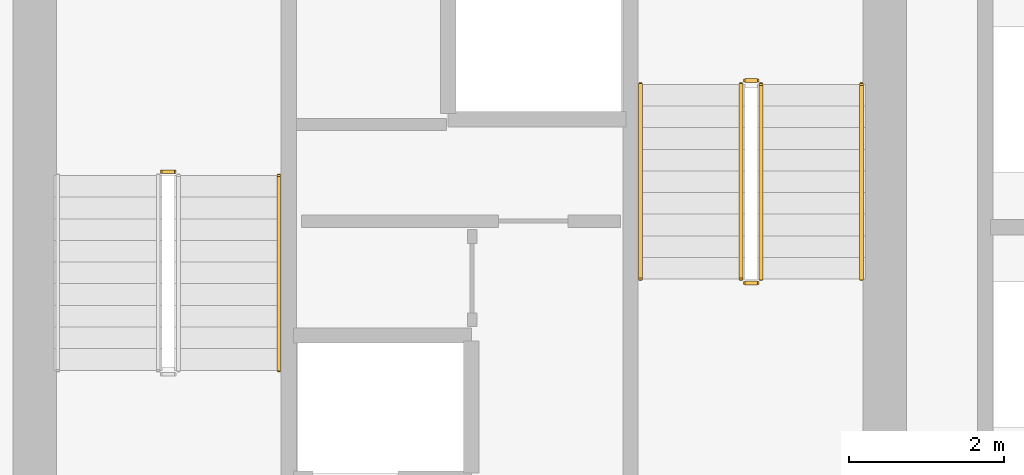
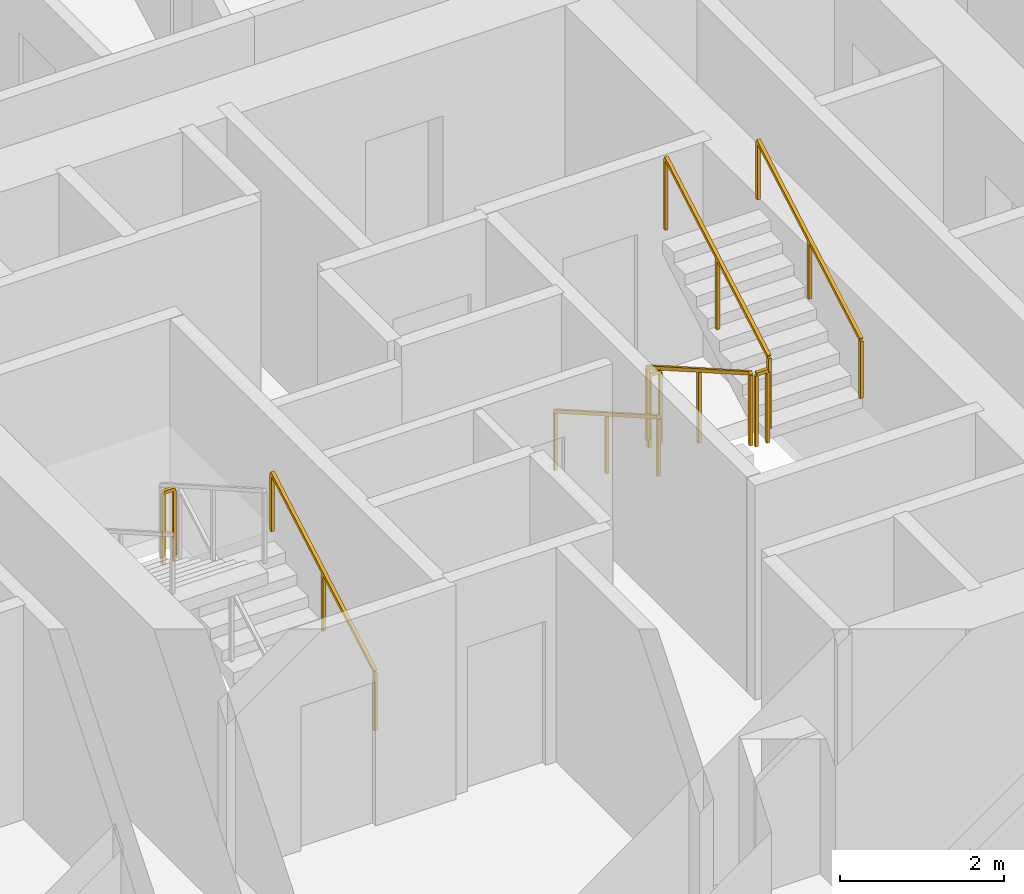
# One storey, part 12 of 13: 8 railings.
"""IFC4 building model written with IfcOpenShell, lengths in metres."""

from ifc_helpers import new_model, si_unit, direction, frame, origin, origin_2d, place, context, subcontext, project, spatial, rectangle, extrude, material, type_object, element, save


model = new_model("IFC4")

# Units and contexts
model_context = context("Model", 3, precision=1e-05, world=origin(), true_north=direction((0.0, 1.0)))
body_context = subcontext(model_context, "Body", "Model", "MODEL_VIEW")
ifc_project = project(units=[si_unit("LENGTHUNIT", "METRE"), si_unit("AREAUNIT", "SQUARE_METRE"), si_unit("VOLUMEUNIT", "CUBIC_METRE"), si_unit("PLANEANGLEUNIT", "RADIAN"), si_unit("MASSUNIT", "GRAM", prefix="KILO")], contexts=[model_context])

# Site, building, storey
site_placement = place(None, origin())
site = spatial("IfcSite", under=ifc_project, at=site_placement, CompositionType="ELEMENT")
building_placement = place(site_placement, origin())
building = spatial("IfcBuilding", under=site, at=building_placement, Name="Veldorim Arch Residences", CompositionType="ELEMENT")
storey_placement = place(building_placement, frame((0.0, 0.0, 56.800048828125)))
storey = spatial("IfcBuildingStorey", under=building, at=storey_placement, Name="L16", CompositionType="ELEMENT", Elevation=56.800048828125)

# Railings
ifc_material_1 = material(Name="Steel S355", Category="steel")
railing_type_1 = type_object("IfcRailingType", Name="Galvanised Steel Stair Safety Guardrail 1100", PredefinedType="GUARDRAIL", material=ifc_material_1)
railing_1_placement = place(storey_placement, frame((28.31005859375, 24.719970703125, 1.599853515625)))
element("IfcRailing", 1, at=railing_1_placement, inside=storey, type_object=railing_type_1, Name="L16 ST-1 stair guard 2", PredefinedType="GUARDRAIL", context=body_context, shape_type="SweptSolid", body=[
    extrude(rectangle(XDim=0.048095703125, YDim=0.048095703125, at=origin_2d()), frame((0.0, 0.0, 1.076171875), z_axis=(-1.0, 0.0, 0.0), x_axis=(0.0, -1.0, 0.0)), (0.0, 0.0, 1.0), 0.16015625),
    extrude(rectangle(XDim=0.0419921875, YDim=0.0419921875, at=origin_2d()), origin(), (0.0, 0.0, 1.0), 1.052001953125),
    extrude(rectangle(XDim=0.0419921875, YDim=0.0419921875, at=origin_2d()), frame((-0.16015625, 0.0, 0.0)), (0.0, 0.0, 1.0), 1.052001953125),
])
railing_2_placement = place(storey_placement, frame((35.639892578125, 25.85009765625, 0.159912109375)))
element("IfcRailing", 2, at=railing_2_placement, inside=storey, type_object=railing_type_1, Name="L16 ST-2 stair guard 1", PredefinedType="GUARDRAIL", context=body_context, shape_type="SweptSolid", body=[
    extrude(rectangle(XDim=0.048095703125, YDim=0.048095703125, at=origin_2d()), frame((0.0, 0.0, 1.076171875), z_axis=(0.0, -0.868253494771, 0.496120820787), x_axis=(1.0, 0.0, 0.0)), (0.0, 0.0, 1.0), 2.90234375),
    extrude(rectangle(XDim=0.0419921875, YDim=0.0419921875, at=origin_2d()), origin(), (0.0, 0.0, 1.0), 1.052001953125),
    extrude(rectangle(XDim=0.0419921875, YDim=0.0419921875, at=origin_2d()), frame((0.0, -1.260009765625, 0.719970703125)), (0.0, 0.0, 1.0), 1.052001953125),
    extrude(rectangle(XDim=0.0419921875, YDim=0.0419921875, at=origin_2d()), frame((0.0, -2.52001953125, 1.43994140625)), (0.0, 0.0, 1.0), 1.052001953125),
])
railing_3_placement = place(storey_placement, frame((35.68994140625, 23.280029296875, 1.599853515625)))
element("IfcRailing", 3, at=railing_3_placement, inside=storey, type_object=railing_type_1, Name="L16 ST-2 stair guard 2", PredefinedType="GUARDRAIL", context=body_context, shape_type="SweptSolid", body=[
    extrude(rectangle(XDim=0.048095703125, YDim=0.048095703125, at=origin_2d()), frame((0.0, 0.0, 1.076171875), z_axis=(1.0, 0.0, 0.0), x_axis=(0.0, 1.0, 0.0)), (0.0, 0.0, 1.0), 0.16015625),
    extrude(rectangle(XDim=0.0419921875, YDim=0.0419921875, at=origin_2d()), origin(), (0.0, 0.0, 1.0), 1.052001953125),
    extrude(rectangle(XDim=0.0419921875, YDim=0.0419921875, at=origin_2d()), frame((0.16015625, 0.0, 0.0)), (0.0, 0.0, 1.0), 1.052001953125),
])
railing_4_placement = place(storey_placement, frame((35.89990234375, 23.330078125, 1.760009765625)))
element("IfcRailing", 4, at=railing_4_placement, inside=storey, type_object=railing_type_1, Name="L16 ST-2 stair guard 3", PredefinedType="GUARDRAIL", context=body_context, shape_type="SweptSolid", body=[
    extrude(rectangle(XDim=0.048095703125, YDim=0.048095703125, at=origin_2d()), frame((0.0, 0.0, 1.076171875), z_axis=(0.0, 0.868253494771, 0.496120820787), x_axis=(-1.0, 0.0, 0.0)), (0.0, 0.0, 1.0), 2.90234375),
    extrude(rectangle(XDim=0.0419921875, YDim=0.0419921875, at=origin_2d()), origin(), (0.0, 0.0, 1.0), 1.052001953125),
    extrude(rectangle(XDim=0.0419921875, YDim=0.0419921875, at=origin_2d()), frame((0.0, 1.260009765625, 0.719970703125)), (0.0, 0.0, 1.0), 1.052001953125),
    extrude(rectangle(XDim=0.0419921875, YDim=0.0419921875, at=origin_2d()), frame((0.0, 2.52001953125, 1.43994140625)), (0.0, 0.0, 1.0), 1.052001953125),
])
railing_5_placement = place(storey_placement, frame((35.68994140625, 25.89990234375, 0.0)))
element("IfcRailing", 5, at=railing_5_placement, inside=storey, type_object=railing_type_1, Name="L16 ST-2 stair guard 4", PredefinedType="GUARDRAIL", context=body_context, shape_type="SweptSolid", body=[
    extrude(rectangle(XDim=0.048095703125, YDim=0.048095703125, at=origin_2d()), frame((0.0, 0.0, 1.076171875), z_axis=(1.0, 0.0, 0.0), x_axis=(0.0, 1.0, 0.0)), (0.0, 0.0, 1.0), 0.16015625),
    extrude(rectangle(XDim=0.0419921875, YDim=0.0419921875, at=origin_2d()), origin(), (0.0, 0.0, 1.0), 1.052001953125),
    extrude(rectangle(XDim=0.0419921875, YDim=0.0419921875, at=origin_2d()), frame((0.16015625, 0.0, 0.0)), (0.0, 0.0, 1.0), 1.052001953125),
])
ifc_material_2 = material(Name="Stainless Steel", Category="steel")
railing_type_2 = type_object("IfcRailingType", Name="Tubular Steel Continuous Wall Handrail 900", PredefinedType="HANDRAIL", material=ifc_material_2)
railing_6_placement = place(storey_placement, frame((29.659912109375, 22.14990234375, 0.159912109375)))
element("IfcRailing", 6, at=railing_6_placement, inside=storey, type_object=railing_type_2, Name="L16 ST-1 stair handrail 1", PredefinedType="HANDRAIL", context=body_context, shape_type="SweptSolid", body=[
    extrude(rectangle(XDim=0.048095703125, YDim=0.048095703125, at=origin_2d()), frame((0.0, 0.0, 0.8759765625), z_axis=(0.0, 0.868253494771, 0.496120820787), x_axis=(-1.0, 0.0, 0.0)), (0.0, 0.0, 1.0), 2.90234375),
    extrude(rectangle(XDim=0.0419921875, YDim=0.0419921875, at=origin_2d()), origin(), (0.0, 0.0, 1.0), 0.851806640625),
    extrude(rectangle(XDim=0.0419921875, YDim=0.0419921875, at=origin_2d()), frame((0.0, 1.260009765625, 0.719970703125)), (0.0, 0.0, 1.0), 0.851806640625),
    extrude(rectangle(XDim=0.0419921875, YDim=0.0419921875, at=origin_2d()), frame((0.0, 2.52001953125, 1.43994140625)), (0.0, 0.0, 1.0), 0.851806640625),
])
railing_7_placement = place(storey_placement, frame((34.340087890625, 25.85009765625, 0.159912109375)))
element("IfcRailing", 7, at=railing_7_placement, inside=storey, type_object=railing_type_2, Name="L16 ST-2 stair handrail 1", PredefinedType="HANDRAIL", context=body_context, shape_type="SweptSolid", body=[
    extrude(rectangle(XDim=0.048095703125, YDim=0.048095703125, at=origin_2d()), frame((0.0, 0.0, 0.8759765625), z_axis=(0.0, -0.868253494771, 0.496120820787), x_axis=(1.0, 0.0, 0.0)), (0.0, 0.0, 1.0), 2.90234375),
    extrude(rectangle(XDim=0.0419921875, YDim=0.0419921875, at=origin_2d()), origin(), (0.0, 0.0, 1.0), 0.851806640625),
    extrude(rectangle(XDim=0.0419921875, YDim=0.0419921875, at=origin_2d()), frame((0.0, -1.260009765625, 0.719970703125)), (0.0, 0.0, 1.0), 0.851806640625),
    extrude(rectangle(XDim=0.0419921875, YDim=0.0419921875, at=origin_2d()), frame((0.0, -2.52001953125, 1.43994140625)), (0.0, 0.0, 1.0), 0.851806640625),
])
railing_8_placement = place(storey_placement, frame((37.199951171875, 23.330078125, 1.760009765625)))
element("IfcRailing", 8, at=railing_8_placement, inside=storey, type_object=railing_type_2, Name="L16 ST-2 stair handrail 2", PredefinedType="HANDRAIL", context=body_context, shape_type="SweptSolid", body=[
    extrude(rectangle(XDim=0.048095703125, YDim=0.048095703125, at=origin_2d()), frame((0.0, 0.0, 0.8759765625), z_axis=(0.0, 0.868253494771, 0.496120820787), x_axis=(-1.0, 0.0, 0.0)), (0.0, 0.0, 1.0), 2.90234375),
    extrude(rectangle(XDim=0.0419921875, YDim=0.0419921875, at=origin_2d()), origin(), (0.0, 0.0, 1.0), 0.851806640625),
    extrude(rectangle(XDim=0.0419921875, YDim=0.0419921875, at=origin_2d()), frame((0.0, 1.260009765625, 0.719970703125)), (0.0, 0.0, 1.0), 0.851806640625),
    extrude(rectangle(XDim=0.0419921875, YDim=0.0419921875, at=origin_2d()), frame((0.0, 2.52001953125, 1.43994140625)), (0.0, 0.0, 1.0), 0.851806640625),
])

save(model, "model.ifc")
